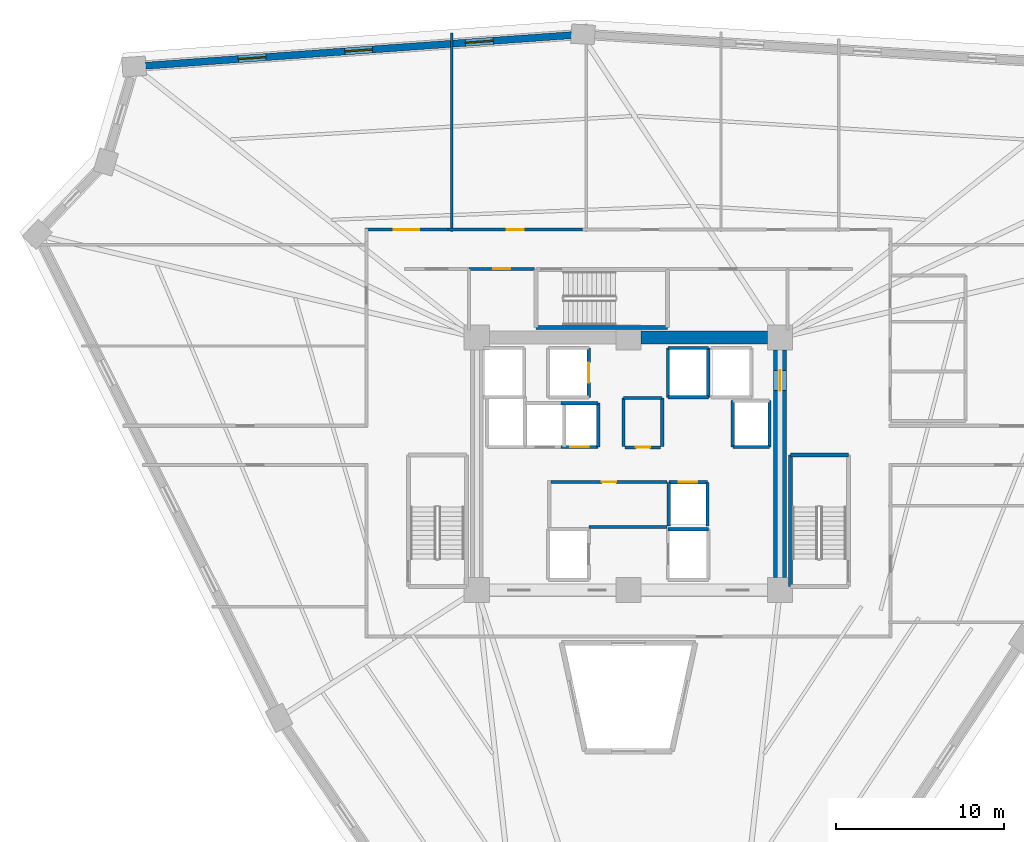
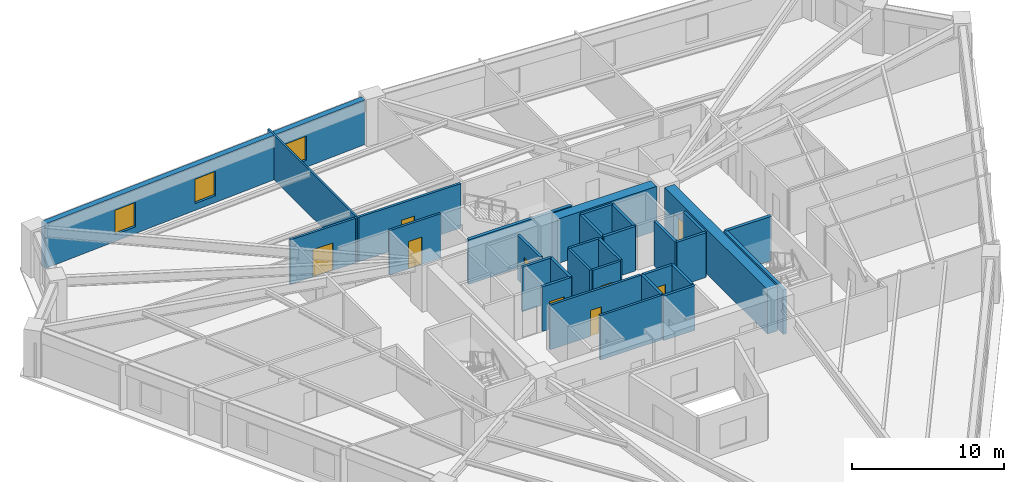
# One storey, part 5 of 8: 31 walls, 9 doors, 3 windows, 12 openings.
"""IFC4 building model written with IfcOpenShell, lengths in metres."""

from ifc_helpers import new_model, si_unit, direction, frame, frame_2d, origin, place, context, subcontext, project, spatial, rectangle, extrude, source, transform, mapped, material, layer, layer_set, type_object, element, fill, save


model = new_model("IFC4")

# Units and contexts
model_context = context("Model", 3, precision=1e-05, world=origin(), true_north=direction((0.0, 1.0)))
body_context = subcontext(model_context, "Body", "Model", "MODEL_VIEW")
ifc_project = project(units=[si_unit("LENGTHUNIT", "METRE"), si_unit("AREAUNIT", "SQUARE_METRE"), si_unit("VOLUMEUNIT", "CUBIC_METRE"), si_unit("PLANEANGLEUNIT", "RADIAN"), si_unit("MASSUNIT", "GRAM", prefix="KILO")], contexts=[model_context])

# Site, building, storey
site_placement = place(None, origin())
site = spatial("IfcSite", under=ifc_project, at=site_placement, CompositionType="ELEMENT")
building_placement = place(site_placement, origin())
building = spatial("IfcBuilding", under=site, at=building_placement, Name="Liaohun Quay Tower", CompositionType="ELEMENT")
storey_placement = place(building_placement, frame((0.0, 0.0, 162.75)))
storey = spatial("IfcBuildingStorey", under=building, at=storey_placement, Name="L42", CompositionType="ELEMENT", Elevation=162.75)

# Wall
ifc_material_1 = material(Name="Concrete C60", Category="concrete")
ifc_layer_1 = layer(ifc_material_1, 0.75, Name="Concrete C60", Category="concrete")
ifc_layer_set_1 = layer_set([ifc_layer_1], Name="Concrete C60")
wall_type_1 = type_object("IfcWallType", Name="WAL-COR-Z2", PredefinedType="SHEAR", material=ifc_layer_set_1)
wall_1_placement = place(storey_placement, frame((60.75, 61.5, 0.0), z_axis=(0.0, 0.0, 1.0), x_axis=(1.0, 0.0, 0.0)))
element("IfcWall", 1, at=wall_1_placement, inside=storey, type_object=wall_type_1, Name="L42 Central Core Shear Wall N-E", PredefinedType="SHEAR", context=body_context, shape_type="SweptSolid", body=[
    extrude(rectangle(XDim=7.5, YDim=0.75, at=frame_2d((3.75, 0.0))), origin(), (0.0, 0.0, 1.0), 3.570068359375),
])

# Wall, opening, door
wall_2_placement = place(storey_placement, frame((69.0, 60.75, 0.0), z_axis=(0.0, 0.0, 1.0), x_axis=(0.0, -1.0, 0.0)))
wall_2 = element("IfcWall", 2, at=wall_2_placement, inside=storey, type_object=wall_type_1, Name="L42 Central Core Shear Wall E", PredefinedType="SHEAR", context=body_context, shape_type="SweptSolid", body=[
    extrude(rectangle(XDim=13.5, YDim=0.75, at=frame_2d((6.75, 0.0))), origin(), (0.0, 0.0, 1.0), 3.570068359375),
])
shared_shape_1 = source(origin(), body_context, "Body", "SweptSolid", [
    extrude(rectangle(XDim=1.199951171875, YDim=2.199951171875, at=frame_2d((0.60009765625, 1.10009765625))), frame((0.0, 0.385009765625, 0.0), z_axis=(0.0, -1.0, 0.0), x_axis=(1.0, 0.0, 0.0)), (0.0, 0.0, 1.0), 0.77001953125),
])
opening_1_placement = place(wall_2_placement, frame((1.199951171875, 0.0, 0.0)))
opening_1 = element("IfcOpeningElement", 3, at=opening_1_placement, cuts=wall_2, Name="Opening SD1", PredefinedType="OPENING", context=body_context, shape_type="MappedRepresentation", body=[
    mapped(shared_shape_1, transform((0.0, 0.0, 0.0), x_axis=(1.0, 0.0, 0.0), y_axis=(0.0, 1.0, 0.0), z_axis=(0.0, 0.0, 1.0), scale=1.0)),
])
ifc_material_2 = material(Name="Galvanised steel fire door", Category="steel")
door_type_1 = type_object("IfcDoorType", Name="DOR-STR-1200", OperationType="NOTDEFINED", PredefinedType="DOOR", material=ifc_material_2)
shared_shape_2 = source(origin(), body_context, "Body", "SweptSolid", [
    extrude(rectangle(XDim=1.199951171875, YDim=2.199951171875, at=frame_2d((0.60009765625, 1.10009765625))), frame((0.0, 0.02490234375, 0.0), z_axis=(0.0, -1.0, 0.0), x_axis=(1.0, 0.0, 0.0)), (0.0, 0.0, 1.0), 0.050048828125),
])
door_1_placement = place(opening_1_placement, origin())
door_1 = element("IfcDoor", 4, at=door_1_placement, inside=storey, type_object=door_type_1, Name="L42 North-East Core Lobby Smokeproof Door", OperationType="SINGLE_SWING_LEFT", OverallHeight=2.199951171875, OverallWidth=1.199951171875, PredefinedType="DOOR", context=body_context, shape_type="MappedRepresentation", body=[
    mapped(shared_shape_2, transform((0.0, 0.0, 0.0), x_axis=(1.0, 0.0, 0.0), y_axis=(0.0, 1.0, 0.0), z_axis=(0.0, 0.0, 1.0), scale=1.0)),
])
fill(opening_1, door_1)

# Wall, openings, windows
ifc_material_3 = material(Name="Precast concrete C50 insulated sandwich", Category="concrete")
ifc_layer_2 = layer(ifc_material_3, 0.419921875, Name="Precast concrete C50 insulated sandwich", Category="concrete")
ifc_layer_set_2 = layer_set([ifc_layer_2], Name="Precast concrete C50 insulated sandwich")
wall_type_2 = type_object("IfcWallType", Name="WAL-EXT-Z12", PredefinedType="SOLIDWALL", material=ifc_layer_set_2)
wall_3_placement = place(storey_placement, frame((56.616943359375, 79.4560546875, 0.0), z_axis=(0.0, 0.0, 1.0), x_axis=(-0.997433557859, -0.071598167967, 0.0)))
wall_3 = element("IfcWall", 5, at=wall_3_placement, inside=storey, type_object=wall_type_2, Name="L42 Brutalist Precast Pier Wall 07", PredefinedType="SOLIDWALL", context=body_context, shape_type="SweptSolid", body=[
    extrude(rectangle(XDim=25.348876953125, YDim=0.419921875, at=frame_2d((12.67431640625, 0.0))), origin(), (0.0, 0.0, 1.0), 3.570068359375),
])
shared_shape_3 = source(origin(), body_context, "Body", "SweptSolid", [
    extrude(rectangle(XDim=1.64990234375, YDim=1.949951171875, at=frame_2d((0.824951171875, 0.97509765625))), frame((0.0, 0.219970703125, 0.0), z_axis=(0.0, -1.0, 0.0), x_axis=(1.0, 0.0, 0.0)), (0.0, 0.0, 1.0), 0.43994140625),
])
opening_2_placement = place(wall_3_placement, frame((4.662109375, 0.0, 0.550048828125)))
opening_2 = element("IfcOpeningElement", 6, at=opening_2_placement, cuts=wall_3, Name="Opening W02", PredefinedType="OPENING", context=body_context, shape_type="MappedRepresentation", body=[
    mapped(shared_shape_3, transform((0.0, 0.0, 0.0), x_axis=(1.0, 0.0, 0.0), y_axis=(0.0, 1.0, 0.0), z_axis=(0.0, 0.0, 1.0), scale=1.0)),
])
opening_3_placement = place(wall_3_placement, frame((11.85009765625, 0.0, 0.550048828125)))
opening_3 = element("IfcOpeningElement", 7, at=opening_3_placement, cuts=wall_3, Name="Opening W02", PredefinedType="OPENING", context=body_context, shape_type="MappedRepresentation", body=[
    mapped(shared_shape_3, transform((0.0, 0.0, 0.0), x_axis=(1.0, 0.0, 0.0), y_axis=(0.0, 1.0, 0.0), z_axis=(0.0, 0.0, 1.0), scale=1.0)),
])
opening_4_placement = place(wall_3_placement, frame((18.18701171875, 0.0, 0.550048828125)))
opening_4 = element("IfcOpeningElement", 8, at=opening_4_placement, cuts=wall_3, Name="Opening W02", PredefinedType="OPENING", context=body_context, shape_type="MappedRepresentation", body=[
    mapped(shared_shape_3, transform((0.0, 0.0, 0.0), x_axis=(1.0, 0.0, 0.0), y_axis=(0.0, 1.0, 0.0), z_axis=(0.0, 0.0, 1.0), scale=1.0)),
])
ifc_material_4 = material(Name="Triple Low-E argon glazing in thermally broken aluminium", Category="aluminium")
window_type = type_object("IfcWindowType", Name="WIN-PUN-Z2", PartitioningType="DOUBLE_PANEL_VERTICAL", PredefinedType="WINDOW", material=ifc_material_4)
shared_shape_4 = source(origin(), body_context, "Body", "SweptSolid", [
    extrude(rectangle(XDim=1.64990234375, YDim=1.949951171875, at=frame_2d((0.824951171875, 0.97509765625))), frame((0.0, 0.030029296875, 0.0), z_axis=(0.0, -1.0, 0.0), x_axis=(1.0, 0.0, 0.0)), (0.0, 0.0, 1.0), 0.06005859375),
])
window_1_placement = place(opening_2_placement, origin())
window_1 = element("IfcWindow", 9, at=window_1_placement, inside=storey, type_object=window_type, Name="L42 Recessed Cold-Climate Punched Window 07-1", OverallHeight=1.949951171875, OverallWidth=1.64990234375, PartitioningType="DOUBLE_PANEL_VERTICAL", PredefinedType="WINDOW", context=body_context, shape_type="MappedRepresentation", body=[
    mapped(shared_shape_4, transform((0.0, 0.0, 0.0), x_axis=(1.0, 0.0, 0.0), y_axis=(0.0, 1.0, 0.0), z_axis=(0.0, 0.0, 1.0), scale=1.0)),
])
fill(opening_2, window_1)
window_2_placement = place(opening_3_placement, origin())
window_2 = element("IfcWindow", 10, at=window_2_placement, inside=storey, type_object=window_type, Name="L42 Recessed Cold-Climate Punched Window 07-2", OverallHeight=1.949951171875, OverallWidth=1.64990234375, PartitioningType="DOUBLE_PANEL_VERTICAL", PredefinedType="WINDOW", context=body_context, shape_type="MappedRepresentation", body=[
    mapped(shared_shape_4, transform((0.0, 0.0, 0.0), x_axis=(1.0, 0.0, 0.0), y_axis=(0.0, 1.0, 0.0), z_axis=(0.0, 0.0, 1.0), scale=1.0)),
])
fill(opening_3, window_2)
window_3_placement = place(opening_4_placement, origin())
window_3 = element("IfcWindow", 11, at=window_3_placement, inside=storey, type_object=window_type, Name="L42 Recessed Cold-Climate Punched Window 07-3", OverallHeight=1.949951171875, OverallWidth=1.64990234375, PartitioningType="DOUBLE_PANEL_VERTICAL", PredefinedType="WINDOW", context=body_context, shape_type="MappedRepresentation", body=[
    mapped(shared_shape_4, transform((0.0, 0.0, 0.0), x_axis=(1.0, 0.0, 0.0), y_axis=(0.0, 1.0, 0.0), z_axis=(0.0, 0.0, 1.0), scale=1.0)),
])
fill(opening_4, window_3)

# Wall, opening, door
ifc_material_5 = material(Name="Autoclaved aerated concrete blockwork", Category="masonry")
ifc_layer_3 = layer(ifc_material_5, 0.179931640625, Name="Autoclaved aerated concrete blockwork", Category="masonry")
ifc_layer_set_3 = layer_set([ifc_layer_3], Name="Autoclaved aerated concrete blockwork")
wall_type_3 = type_object("IfcWallType", Name="WAL-PRT-COR", PredefinedType="PARTITIONING", material=ifc_layer_set_3)
wall_4_placement = place(storey_placement, frame((55.389892578125, 52.919921875, 0.0), z_axis=(0.0, 0.0, 1.0), x_axis=(1.0, 0.0, 0.0)))
wall_4 = element("IfcWall", 12, at=wall_4_placement, inside=storey, type_object=wall_type_3, Name="L42 Interior Partition Wall 001", PredefinedType="PARTITIONING", context=body_context, shape_type="SweptSolid", body=[
    extrude(rectangle(XDim=6.91015625, YDim=0.179931640625, at=frame_2d((3.455078125, 0.0))), origin(), (0.0, 0.0, 1.0), 3.570068359375),
])
shared_shape_5 = source(origin(), body_context, "Body", "SweptSolid", [
    extrude(rectangle(XDim=0.85009765625, YDim=2.10009765625, at=frame_2d((0.425048828125, 1.050048828125))), frame((0.0, 0.099853515625, 0.0), z_axis=(0.0, -1.0, 0.0), x_axis=(1.0, 0.0, 0.0)), (0.0, 0.0, 1.0), 0.199951171875),
])
opening_5_placement = place(wall_4_placement, frame((3.034912109375, 0.0, 0.0)))
opening_5 = element("IfcOpeningElement", 13, at=opening_5_placement, cuts=wall_4, Name="Opening AD1", PredefinedType="OPENING", context=body_context, shape_type="MappedRepresentation", body=[
    mapped(shared_shape_5, transform((0.0, 0.0, 0.0), x_axis=(1.0, 0.0, 0.0), y_axis=(0.0, 1.0, 0.0), z_axis=(0.0, 0.0, 1.0), scale=1.0)),
])
ifc_material_6 = material(Name="Steel riser inspection fire door", Category="steel")
door_type_2 = type_object("IfcDoorType", Name="DOR-SHF-850", OperationType="NOTDEFINED", PredefinedType="DOOR", material=ifc_material_6)
shared_shape_6 = source(origin(), body_context, "Body", "SweptSolid", [
    extrude(rectangle(XDim=0.85009765625, YDim=2.10009765625, at=frame_2d((0.425048828125, 1.050048828125))), frame((0.0, 0.02490234375, 0.0), z_axis=(0.0, -1.0, 0.0), x_axis=(1.0, 0.0, 0.0)), (0.0, 0.0, 1.0), 0.050048828125),
])
door_2_placement = place(opening_5_placement, origin())
door_2 = element("IfcDoor", 14, at=door_2_placement, inside=storey, type_object=door_type_2, Name="L42 Core Tenant Storage and Archive Room Door", OperationType="SINGLE_SWING_LEFT", OverallHeight=2.10009765625, OverallWidth=0.85009765625, PredefinedType="DOOR", context=body_context, shape_type="MappedRepresentation", body=[
    mapped(shared_shape_6, transform((0.0, 0.0, 0.0), x_axis=(1.0, 0.0, 0.0), y_axis=(0.0, 1.0, 0.0), z_axis=(0.0, 0.0, 1.0), scale=1.0)),
])
fill(opening_5, door_2)

wall_5_placement = place(storey_placement, frame((59.81005859375, 54.97998046875, 0.0), z_axis=(0.0, 0.0, 1.0), x_axis=(1.0, 0.0, 0.0)))
wall_5 = element("IfcWall", 15, at=wall_5_placement, inside=storey, type_object=wall_type_3, Name="L42 Interior Partition Wall 002", PredefinedType="PARTITIONING", context=body_context, shape_type="SweptSolid", body=[
    extrude(rectangle(XDim=2.10986328125, YDim=0.179931640625, at=frame_2d((1.054931640625, 0.0))), origin(), (0.0, 0.0, 1.0), 3.570068359375),
])
opening_6_placement = place(wall_5_placement, frame((0.635009765625, 0.0, 0.0)))
opening_6 = element("IfcOpeningElement", 16, at=opening_6_placement, cuts=wall_5, Name="Opening AD1", PredefinedType="OPENING", context=body_context, shape_type="MappedRepresentation", body=[
    mapped(shared_shape_5, transform((0.0, 0.0, 0.0), x_axis=(1.0, 0.0, 0.0), y_axis=(0.0, 1.0, 0.0), z_axis=(0.0, 0.0, 1.0), scale=1.0)),
])
door_3_placement = place(opening_6_placement, origin())
door_3 = element("IfcDoor", 17, at=door_3_placement, inside=storey, type_object=door_type_2, Name="L42 Core Electrical and Telecom Riser Room Door", OperationType="SINGLE_SWING_RIGHT", OverallHeight=2.10009765625, OverallWidth=0.85009765625, PredefinedType="DOOR", context=body_context, shape_type="MappedRepresentation", body=[
    mapped(shared_shape_6, transform((0.0, 0.0, 0.0), x_axis=(1.0, 0.0, 0.0), y_axis=(0.0, 1.0, 0.0), z_axis=(0.0, 0.0, 1.0), scale=1.0)),
])
fill(opening_6, door_3)

wall_6_placement = place(storey_placement, frame((50.5400390625, 65.580078125, 0.0), z_axis=(0.0, 0.0, 1.0), x_axis=(1.0, 0.0, 0.0)))
wall_6 = element("IfcWall", 18, at=wall_6_placement, inside=storey, type_object=wall_type_3, Name="L42 Interior Partition Wall 006", PredefinedType="PARTITIONING", context=body_context, shape_type="SweptSolid", body=[
    extrude(rectangle(XDim=3.869873046875, YDim=0.179931640625, at=frame_2d((1.93505859375, 0.0))), origin(), (0.0, 0.0, 1.0), 3.570068359375),
])
shared_shape_7 = source(origin(), body_context, "Body", "SweptSolid", [
    extrude(rectangle(XDim=1.0, YDim=2.199951171875, at=frame_2d((0.5, 1.10009765625))), frame((0.0, 0.099853515625, 0.0), z_axis=(0.0, -1.0, 0.0), x_axis=(1.0, 0.0, 0.0)), (0.0, 0.0, 1.0), 0.199951171875),
])
opening_7_placement = place(wall_6_placement, frame((1.43505859375, 0.0, 0.0)))
opening_7 = element("IfcOpeningElement", 19, at=opening_7_placement, cuts=wall_6, Name="Opening OD1", PredefinedType="OPENING", context=body_context, shape_type="MappedRepresentation", body=[
    mapped(shared_shape_7, transform((0.0, 0.0, 0.0), x_axis=(1.0, 0.0, 0.0), y_axis=(0.0, 1.0, 0.0), z_axis=(0.0, 0.0, 1.0), scale=1.0)),
])
ifc_material_7 = material(Name="Solid-core oak veneer timber leaf in steel frame", Category="steel")
door_type_3 = type_object("IfcDoorType", Name="DOR-OFF-1000", OperationType="NOTDEFINED", PredefinedType="DOOR", material=ifc_material_7)
shared_shape_8 = source(origin(), body_context, "Body", "SweptSolid", [
    extrude(rectangle(XDim=1.0, YDim=2.199951171875, at=frame_2d((0.5, 1.10009765625))), frame((0.0, 0.02490234375, 0.0), z_axis=(0.0, -1.0, 0.0), x_axis=(1.0, 0.0, 0.0)), (0.0, 0.0, 1.0), 0.050048828125),
])
door_4_placement = place(opening_7_placement, origin())
door_4 = element("IfcDoor", 20, at=door_4_placement, inside=storey, type_object=door_type_3, Name="L42 North-West Print and Telecom Room Door", OperationType="SINGLE_SWING_RIGHT", OverallHeight=2.199951171875, OverallWidth=1.0, PredefinedType="DOOR", context=body_context, shape_type="MappedRepresentation", body=[
    mapped(shared_shape_8, transform((0.0, 0.0, 0.0), x_axis=(1.0, 0.0, 0.0), y_axis=(0.0, 1.0, 0.0), z_axis=(0.0, 0.0, 1.0), scale=1.0)),
])
fill(opening_7, door_4)

wall_7_placement = place(storey_placement, frame((49.284912109375, 67.909912109375, 0.0), z_axis=(0.0, 0.0, 1.0), x_axis=(1.0, 0.0, 0.0)))
wall_7 = element("IfcWall", 21, at=wall_7_placement, inside=storey, type_object=wall_type_3, Name="L42 Interior Partition Wall 014", PredefinedType="PARTITIONING", context=body_context, shape_type="SweptSolid", body=[
    extrude(rectangle(XDim=8.0, YDim=0.179931640625, at=frame_2d((4.0, 0.0))), origin(), (0.0, 0.0, 1.0), 3.570068359375),
])
opening_8_placement = place(wall_7_placement, frame((3.5, 0.0, 0.0)))
opening_8 = element("IfcOpeningElement", 22, at=opening_8_placement, cuts=wall_7, Name="Opening OD1", PredefinedType="OPENING", context=body_context, shape_type="MappedRepresentation", body=[
    mapped(shared_shape_7, transform((0.0, 0.0, 0.0), x_axis=(1.0, 0.0, 0.0), y_axis=(0.0, 1.0, 0.0), z_axis=(0.0, 0.0, 1.0), scale=1.0)),
])
door_5_placement = place(opening_8_placement, origin())
door_5 = element("IfcDoor", 23, at=door_5_placement, inside=storey, type_object=door_type_3, Name="L42 Client Collaboration Lounge 05 Door", OperationType="SINGLE_SWING_RIGHT", OverallHeight=2.199951171875, OverallWidth=1.0, PredefinedType="DOOR", context=body_context, shape_type="MappedRepresentation", body=[
    mapped(shared_shape_8, transform((0.0, 0.0, 0.0), x_axis=(1.0, 0.0, 0.0), y_axis=(0.0, 1.0, 0.0), z_axis=(0.0, 0.0, 1.0), scale=1.0)),
])
fill(opening_8, door_5)

wall_8_placement = place(storey_placement, frame((44.3701171875, 67.909912109375, 0.0), z_axis=(0.0, 0.0, 1.0), x_axis=(1.0, 0.0, 0.0)))
wall_8 = element("IfcWall", 24, at=wall_8_placement, inside=storey, type_object=wall_type_3, Name="L42 Interior Partition Wall 015", PredefinedType="PARTITIONING", context=body_context, shape_type="SweptSolid", body=[
    extrude(rectangle(XDim=4.914794921875, YDim=0.179931640625, at=frame_2d((2.45751953125, 0.0))), origin(), (0.0, 0.0, 1.0), 3.570068359375),
])
shared_shape_9 = source(origin(), body_context, "Body", "SweptSolid", [
    extrude(rectangle(XDim=1.5, YDim=2.199951171875, at=frame_2d((0.75, 1.10009765625))), frame((0.0, 0.099853515625, 0.0), z_axis=(0.0, -1.0, 0.0), x_axis=(1.0, 0.0, 0.0)), (0.0, 0.0, 1.0), 0.199951171875),
])
opening_9_placement = place(wall_8_placement, frame((1.70703125, 0.0, 0.0)))
opening_9 = element("IfcOpeningElement", 25, at=opening_9_placement, cuts=wall_8, Name="Opening OD2", PredefinedType="OPENING", context=body_context, shape_type="MappedRepresentation", body=[
    mapped(shared_shape_9, transform((0.0, 0.0, 0.0), x_axis=(1.0, 0.0, 0.0), y_axis=(0.0, 1.0, 0.0), z_axis=(0.0, 0.0, 1.0), scale=1.0)),
])
ifc_material_8 = material(Name="Acoustic oak veneer double door")
door_type_4 = type_object("IfcDoorType", Name="DOR-OFF-1500", OperationType="DOUBLE_DOOR_SINGLE_SWING", PredefinedType="DOOR", material=ifc_material_8)
shared_shape_10 = source(origin(), body_context, "Body", "SweptSolid", [
    extrude(rectangle(XDim=1.5, YDim=2.199951171875, at=frame_2d((0.75, 1.10009765625))), frame((0.0, 0.02490234375, 0.0), z_axis=(0.0, -1.0, 0.0), x_axis=(1.0, 0.0, 0.0)), (0.0, 0.0, 1.0), 0.050048828125),
])
door_6_placement = place(opening_9_placement, origin())
door_6 = element("IfcDoor", 26, at=door_6_placement, inside=storey, type_object=door_type_4, Name="L42 Staff Tea Kitchen and Pantry 06 Door", OperationType="DOUBLE_DOOR_SINGLE_SWING", OverallHeight=2.199951171875, OverallWidth=1.5, PredefinedType="DOOR", context=body_context, shape_type="MappedRepresentation", body=[
    mapped(shared_shape_10, transform((0.0, 0.0, 0.0), x_axis=(1.0, 0.0, 0.0), y_axis=(0.0, 1.0, 0.0), z_axis=(0.0, 0.0, 1.0), scale=1.0)),
])
fill(opening_9, door_6)

# Walls
for number, where, z_axis, x_axis, name in (
    (27, (59.719970703125, 55.02001953125, 0.0), (0.0, 0.0, 1.0), (0.0, 1.0, 0.0), "L42 Interior Partition Wall 022"),
    (28, (62.010009765625, 55.02001953125, 0.0), (0.0, 0.0, 1.0), (0.0, 1.0, 0.0), "L42 Interior Partition Wall 023"),
):
    element("IfcWall", number, at=place(storey_placement, frame(where, z_axis=z_axis, x_axis=x_axis)), inside=storey, type_object=wall_type_3, Name=name, PredefinedType="PARTITIONING", context=body_context, shape_type="SweptSolid", body=[
        extrude(rectangle(XDim=2.8798828125, YDim=0.179931640625, at=frame_2d((1.43994140625, 0.0))), origin(), (0.0, 0.0, 1.0), 3.570068359375),
    ])
wall_9_placement = place(storey_placement, frame((59.719970703125, 57.919921875, 0.0), z_axis=(0.0, 0.0, 1.0), x_axis=(1.0, 0.0, 0.0)))
element("IfcWall", 29, at=wall_9_placement, inside=storey, type_object=wall_type_3, Name="L42 Interior Partition Wall 024", PredefinedType="PARTITIONING", context=body_context, shape_type="SweptSolid", body=[
    extrude(rectangle(XDim=2.2900390625, YDim=0.179931640625, at=frame_2d((1.14501953125, 0.0))), origin(), (0.0, 0.0, 1.0), 3.570068359375),
])
wall_10_placement = place(storey_placement, frame((57.64990234375, 50.25, 0.0), z_axis=(0.0, 0.0, 1.0), x_axis=(1.0, 0.0, 0.0)))
element("IfcWall", 30, at=wall_10_placement, inside=storey, type_object=wall_type_3, Name="L42 Interior Partition Wall 051", PredefinedType="PARTITIONING", context=body_context, shape_type="SweptSolid", body=[
    extrude(rectangle(XDim=4.650146484375, YDim=0.179931640625, at=frame_2d((2.3251953125, 0.0))), origin(), (0.0, 0.0, 1.0), 3.570068359375),
])
ifc_material_9 = material(Name="Gypsum board on twin steel studs", Category="steel")
ifc_layer_4 = layer(ifc_material_9, 0.139892578125, Name="Gypsum board on twin steel studs", Category="steel")
ifc_layer_set_4 = layer_set([ifc_layer_4], Name="Gypsum board on twin steel studs")
wall_type_4 = type_object("IfcWallType", Name="WAL-PRT-OFF", PredefinedType="PARTITIONING", material=ifc_layer_set_4)
wall_11_placement = place(storey_placement, frame((49.5, 67.81005859375, 0.0), z_axis=(0.0, 0.0, 1.0), x_axis=(0.0, 1.0, 0.0)))
element("IfcWall", 31, at=wall_11_placement, inside=storey, type_object=wall_type_4, Name="L42 Interior Partition Wall 046", PredefinedType="PARTITIONING", context=body_context, shape_type="SweptSolid", body=[
    extrude(rectangle(XDim=11.766845703125, YDim=0.139892578125, at=frame_2d((5.88330078125, 0.0))), origin(), (0.0, 0.0, 1.0), 3.570068359375),
])
ifc_material_10 = material(Name="Concrete C50", Category="concrete")
ifc_layer_5 = layer(ifc_material_10, 0.239990234375, Name="Concrete C50", Category="concrete")
ifc_layer_set_5 = layer_set([ifc_layer_5], Name="Concrete C50")
wall_type_5 = type_object("IfcWallType", Name="WAL-SHF-200", PredefinedType="SOLIDWALL", material=ifc_layer_set_5)
wall_12_placement = place(storey_placement, frame((73.06005859375, 54.52001953125, 0.0), z_axis=(0.0, 0.0, 1.0), x_axis=(-1.0, 0.0, 0.0)))
element("IfcWall", 32, at=wall_12_placement, inside=storey, type_object=wall_type_5, Name="L42 Stairwell ST-2 Structural Core Wall N", PredefinedType="SOLIDWALL", context=body_context, shape_type="SweptSolid", body=[
    extrude(rectangle(XDim=3.43994140625, YDim=0.239990234375, at=frame_2d((1.719970703125, 0.0))), origin(), (0.0, 0.0, 1.0), 3.570068359375),
])
for number, where, z_axis, x_axis, name in (
    (33, (69.6201171875, 54.52001953125, 0.0), (0.0, 0.0, 1.0), (0.0, -1.0, 0.0), "L42 Stairwell ST-2 Structural Core Wall W"),
    (34, (54.5, 62.10009765625, 0.0), (0.0, 0.0, 1.0), (1.0, 0.0, 0.0), "L42 Stairwell ST-3 Structural Core Wall S"),
):
    element("IfcWall", number, at=place(storey_placement, frame(where, z_axis=z_axis, x_axis=x_axis)), inside=storey, type_object=wall_type_5, Name=name, PredefinedType="SOLIDWALL", context=body_context, shape_type="SweptSolid", body=[
        extrude(rectangle(XDim=7.820068359375, YDim=0.239990234375, at=frame_2d((3.91015625, 0.0))), origin(), (0.0, 0.0, 1.0), 3.570068359375),
    ])
wall_13_placement = place(storey_placement, frame((64.75, 50.1201171875, 0.0), z_axis=(0.0, 0.0, 1.0), x_axis=(-1.0, 0.0, 0.0)))
element("IfcWall", 35, at=wall_13_placement, inside=storey, type_object=wall_type_5, Name="L42 Lift FF-02 Hoistway Wall N", PredefinedType="SOLIDWALL", context=body_context, shape_type="SweptSolid", body=[
    extrude(rectangle(XDim=2.39990234375, YDim=0.199951171875, at=frame_2d((1.199951171875, 0.0))), origin(), (0.0, 0.0, 1.0), 3.570068359375),
])

# Wall, opening, door
wall_14_placement = place(storey_placement, frame((57.64990234375, 57.949951171875, 0.0), z_axis=(0.0, 0.0, 1.0), x_axis=(0.0, 1.0, 0.0)))
wall_14 = element("IfcWall", 36, at=wall_14_placement, inside=storey, type_object=wall_type_5, Name="L42 Lift FF-03 Hoistway Wall E", PredefinedType="SOLIDWALL", context=body_context, shape_type="SweptSolid", body=[
    extrude(rectangle(XDim=2.929931640625, YDim=0.199951171875, at=frame_2d((1.46484375, 0.0))), origin(), (0.0, 0.0, 1.0), 3.570068359375),
])
shared_shape_11 = source(origin(), body_context, "Body", "SweptSolid", [
    extrude(rectangle(XDim=1.199951171875, YDim=2.300048828125, at=frame_2d((0.60009765625, 1.14990234375))), frame((0.0, 0.10986328125, 0.0), z_axis=(0.0, -1.0, 0.0), x_axis=(1.0, 0.0, 0.0)), (0.0, 0.0, 1.0), 0.219970703125),
])
opening_10_placement = place(wall_14_placement, frame((0.864990234375, 0.0, 0.0)))
opening_10 = element("IfcOpeningElement", 37, at=opening_10_placement, cuts=wall_14, Name="Opening LD2", PredefinedType="OPENING", context=body_context, shape_type="MappedRepresentation", body=[
    mapped(shared_shape_11, transform((0.0, 0.0, 0.0), x_axis=(1.0, 0.0, 0.0), y_axis=(0.0, 1.0, 0.0), z_axis=(0.0, 0.0, 1.0), scale=1.0)),
])
ifc_material_11 = material(Name="Brushed stainless steel stretcher landing door", Category="steel")
door_type_5 = type_object("IfcDoorType", Name="DOR-LFT-1200", OperationType="SLIDING_TO_LEFT", PredefinedType="DOOR", material=ifc_material_11)
shared_shape_12 = source(origin(), body_context, "Body", "SweptSolid", [
    extrude(rectangle(XDim=1.199951171875, YDim=2.300048828125, at=frame_2d((0.60009765625, 1.14990234375))), frame((0.0, 0.02490234375, 0.0), z_axis=(0.0, -1.0, 0.0), x_axis=(1.0, 0.0, 0.0)), (0.0, 0.0, 1.0), 0.050048828125),
])
door_7_placement = place(opening_10_placement, origin())
door_7 = element("IfcDoor", 38, at=door_7_placement, inside=storey, type_object=door_type_5, Name="L42 Lift FF-03 Sliding Landing Door", OperationType="SLIDING_TO_LEFT", OverallHeight=2.300048828125, OverallWidth=1.199951171875, PredefinedType="DOOR", context=body_context, shape_type="MappedRepresentation", body=[
    mapped(shared_shape_12, transform((0.0, 0.0, 0.0), x_axis=(1.0, 0.0, 0.0), y_axis=(0.0, 1.0, 0.0), z_axis=(0.0, 0.0, 1.0), scale=1.0)),
])
fill(opening_10, door_7)

# Walls
wall_15_placement = place(storey_placement, frame((62.35009765625, 57.949951171875, 0.0), z_axis=(0.0, 0.0, 1.0), x_axis=(1.0, 0.0, 0.0)))
element("IfcWall", 39, at=wall_15_placement, inside=storey, type_object=wall_type_5, Name="L42 Lift OB-01 Hoistway Wall S", PredefinedType="SOLIDWALL", context=body_context, shape_type="SweptSolid", body=[
    extrude(rectangle(XDim=2.39990234375, YDim=0.199951171875, at=frame_2d((1.199951171875, 0.0))), origin(), (0.0, 0.0, 1.0), 3.570068359375),
])
wall_16_placement = place(storey_placement, frame((64.75, 57.949951171875, 0.0), z_axis=(0.0, 0.0, 1.0), x_axis=(0.0, 1.0, 0.0)))
element("IfcWall", 40, at=wall_16_placement, inside=storey, type_object=wall_type_5, Name="L42 Lift OB-01 Hoistway Wall E", PredefinedType="SOLIDWALL", context=body_context, shape_type="SweptSolid", body=[
    extrude(rectangle(XDim=2.929931640625, YDim=0.199951171875, at=frame_2d((1.46484375, 0.0))), origin(), (0.0, 0.0, 1.0), 3.570068359375),
])
wall_17_placement = place(storey_placement, frame((64.75, 60.8798828125, 0.0), z_axis=(0.0, 0.0, 1.0), x_axis=(-1.0, 0.0, 0.0)))
element("IfcWall", 41, at=wall_17_placement, inside=storey, type_object=wall_type_5, Name="L42 Lift OB-01 Hoistway Wall N", PredefinedType="SOLIDWALL", context=body_context, shape_type="SweptSolid", body=[
    extrude(rectangle(XDim=2.39990234375, YDim=0.199951171875, at=frame_2d((1.199951171875, 0.0))), origin(), (0.0, 0.0, 1.0), 3.570068359375),
])
wall_18_placement = place(storey_placement, frame((62.35009765625, 60.8798828125, 0.0), z_axis=(0.0, 0.0, 1.0), x_axis=(0.0, -1.0, 0.0)))
element("IfcWall", 42, at=wall_18_placement, inside=storey, type_object=wall_type_5, Name="L42 Lift OB-01 Hoistway Wall W", PredefinedType="SOLIDWALL", context=body_context, shape_type="SweptSolid", body=[
    extrude(rectangle(XDim=2.929931640625, YDim=0.199951171875, at=frame_2d((1.46484375, 0.0))), origin(), (0.0, 0.0, 1.0), 3.570068359375),
])
wall_19_placement = place(storey_placement, frame((66.199951171875, 55.0, 0.0), z_axis=(0.0, 0.0, 1.0), x_axis=(1.0, 0.0, 0.0)))
element("IfcWall", 43, at=wall_19_placement, inside=storey, type_object=wall_type_5, Name="L42 Lift SH-03 Hoistway Wall S", PredefinedType="SOLIDWALL", context=body_context, shape_type="SweptSolid", body=[
    extrude(rectangle(XDim=2.179931640625, YDim=0.199951171875, at=frame_2d((1.08984375, 0.0))), origin(), (0.0, 0.0, 1.0), 3.570068359375),
])
for number, where, z_axis, x_axis, name in (
    (44, (68.3798828125, 55.0, 0.0), (0.0, 0.0, 1.0), (0.0, 1.0, 0.0), "L42 Lift SH-03 Hoistway Wall E"),
    (45, (66.199951171875, 57.75, 0.0), (0.0, 0.0, 1.0), (0.0, -1.0, 0.0), "L42 Lift SH-03 Hoistway Wall W"),
):
    element("IfcWall", number, at=place(storey_placement, frame(where, z_axis=z_axis, x_axis=x_axis)), inside=storey, type_object=wall_type_5, Name=name, PredefinedType="SOLIDWALL", context=body_context, shape_type="SweptSolid", body=[
        extrude(rectangle(XDim=2.75, YDim=0.199951171875, at=frame_2d((1.375, 0.0))), origin(), (0.0, 0.0, 1.0), 3.570068359375),
    ])
wall_20_placement = place(storey_placement, frame((64.699951171875, 50.300048828125, 0.0), z_axis=(0.0, 0.0, 1.0), x_axis=(0.0, 1.0, 0.0)))
element("IfcWall", 46, at=wall_20_placement, inside=storey, type_object=wall_type_5, Name="L42 Lift PL-2A Hoistway Wall E", PredefinedType="SOLIDWALL", context=body_context, shape_type="SweptSolid", body=[
    extrude(rectangle(XDim=2.599853515625, YDim=0.199951171875, at=frame_2d((1.2998046875, 0.0))), origin(), (0.0, 0.0, 1.0), 3.570068359375),
])

# Wall, opening, door
wall_21_placement = place(storey_placement, frame((64.699951171875, 52.89990234375, 0.0), z_axis=(0.0, 0.0, 1.0), x_axis=(-1.0, 0.0, 0.0)))
wall_21 = element("IfcWall", 47, at=wall_21_placement, inside=storey, type_object=wall_type_5, Name="L42 Lift PL-2A Hoistway Wall N", PredefinedType="SOLIDWALL", context=body_context, shape_type="SweptSolid", body=[
    extrude(rectangle(XDim=2.300048828125, YDim=0.199951171875, at=frame_2d((1.14990234375, 0.0))), origin(), (0.0, 0.0, 1.0), 3.570068359375),
])
shared_shape_13 = source(origin(), body_context, "Body", "SweptSolid", [
    extrude(rectangle(XDim=1.10009765625, YDim=2.199951171875, at=frame_2d((0.550048828125, 1.10009765625))), frame((0.0, 0.10986328125, 0.0), z_axis=(0.0, -1.0, 0.0), x_axis=(1.0, 0.0, 0.0)), (0.0, 0.0, 1.0), 0.219970703125),
])
opening_11_placement = place(wall_21_placement, frame((0.60009765625, 0.0, 0.0)))
opening_11 = element("IfcOpeningElement", 48, at=opening_11_placement, cuts=wall_21, Name="Opening LD1", PredefinedType="OPENING", context=body_context, shape_type="MappedRepresentation", body=[
    mapped(shared_shape_13, transform((0.0, 0.0, 0.0), x_axis=(1.0, 0.0, 0.0), y_axis=(0.0, 1.0, 0.0), z_axis=(0.0, 0.0, 1.0), scale=1.0)),
])
ifc_material_12 = material(Name="Brushed stainless steel landing door", Category="steel")
door_type_6 = type_object("IfcDoorType", Name="DOR-LFT-1100", OperationType="SLIDING_TO_LEFT", PredefinedType="DOOR", material=ifc_material_12)
shared_shape_14 = source(origin(), body_context, "Body", "SweptSolid", [
    extrude(rectangle(XDim=1.10009765625, YDim=2.199951171875, at=frame_2d((0.550048828125, 1.10009765625))), frame((0.0, 0.02490234375, 0.0), z_axis=(0.0, -1.0, 0.0), x_axis=(1.0, 0.0, 0.0)), (0.0, 0.0, 1.0), 0.050048828125),
])
door_8_placement = place(opening_11_placement, origin())
door_8 = element("IfcDoor", 49, at=door_8_placement, inside=storey, type_object=door_type_6, Name="L42 Lift PL-2A Sliding Landing Door", OperationType="SLIDING_TO_LEFT", OverallHeight=2.199951171875, OverallWidth=1.10009765625, PredefinedType="DOOR", context=body_context, shape_type="MappedRepresentation", body=[
    mapped(shared_shape_14, transform((0.0, 0.0, 0.0), x_axis=(1.0, 0.0, 0.0), y_axis=(0.0, 1.0, 0.0), z_axis=(0.0, 0.0, 1.0), scale=1.0)),
])
fill(opening_11, door_8)

# Wall
wall_22_placement = place(storey_placement, frame((62.39990234375, 52.89990234375, 0.0), z_axis=(0.0, 0.0, 1.0), x_axis=(0.0, -1.0, 0.0)))
element("IfcWall", 50, at=wall_22_placement, inside=storey, type_object=wall_type_5, Name="L42 Lift PL-2A Hoistway Wall W", PredefinedType="SOLIDWALL", context=body_context, shape_type="SweptSolid", body=[
    extrude(rectangle(XDim=2.599853515625, YDim=0.199951171875, at=frame_2d((1.2998046875, 0.0))), origin(), (0.0, 0.0, 1.0), 3.570068359375),
])

# Wall, opening, door
wall_23_placement = place(storey_placement, frame((56.0, 55.0, 0.0), z_axis=(0.0, 0.0, 1.0), x_axis=(1.0, 0.0, 0.0)))
wall_23 = element("IfcWall", 51, at=wall_23_placement, inside=storey, type_object=wall_type_5, Name="L42 Lift PL-2C Hoistway Wall S", PredefinedType="SOLIDWALL", context=body_context, shape_type="SweptSolid", body=[
    extrude(rectangle(XDim=2.199951171875, YDim=0.199951171875, at=frame_2d((1.10009765625, 0.0))), origin(), (0.0, 0.0, 1.0), 3.570068359375),
])
opening_12_placement = place(wall_23_placement, frame((0.550048828125, 0.0, 0.0)))
opening_12 = element("IfcOpeningElement", 52, at=opening_12_placement, cuts=wall_23, Name="Opening LD1", PredefinedType="OPENING", context=body_context, shape_type="MappedRepresentation", body=[
    mapped(shared_shape_13, transform((0.0, 0.0, 0.0), x_axis=(1.0, 0.0, 0.0), y_axis=(0.0, 1.0, 0.0), z_axis=(0.0, 0.0, 1.0), scale=1.0)),
])
door_9_placement = place(opening_12_placement, origin())
door_9 = element("IfcDoor", 53, at=door_9_placement, inside=storey, type_object=door_type_6, Name="L42 Lift PL-2C Sliding Landing Door", OperationType="SLIDING_TO_LEFT", OverallHeight=2.199951171875, OverallWidth=1.10009765625, PredefinedType="DOOR", context=body_context, shape_type="MappedRepresentation", body=[
    mapped(shared_shape_14, transform((0.0, 0.0, 0.0), x_axis=(1.0, 0.0, 0.0), y_axis=(0.0, 1.0, 0.0), z_axis=(0.0, 0.0, 1.0), scale=1.0)),
])
fill(opening_12, door_9)

# Walls
wall_24_placement = place(storey_placement, frame((58.199951171875, 55.0, 0.0), z_axis=(0.0, 0.0, 1.0), x_axis=(0.0, 1.0, 0.0)))
element("IfcWall", 54, at=wall_24_placement, inside=storey, type_object=wall_type_5, Name="L42 Lift PL-2C Hoistway Wall E", PredefinedType="SOLIDWALL", context=body_context, shape_type="SweptSolid", body=[
    extrude(rectangle(XDim=2.60009765625, YDim=0.199951171875, at=frame_2d((1.300048828125, 0.0))), origin(), (0.0, 0.0, 1.0), 3.570068359375),
])
wall_25_placement = place(storey_placement, frame((58.199951171875, 57.60009765625, 0.0), z_axis=(0.0, 0.0, 1.0), x_axis=(-1.0, 0.0, 0.0)))
element("IfcWall", 55, at=wall_25_placement, inside=storey, type_object=wall_type_5, Name="L42 Lift PL-2C Hoistway Wall N", PredefinedType="SOLIDWALL", context=body_context, shape_type="SweptSolid", body=[
    extrude(rectangle(XDim=2.199951171875, YDim=0.199951171875, at=frame_2d((1.10009765625, 0.0))), origin(), (0.0, 0.0, 1.0), 3.570068359375),
])

save(model, "model.ifc")
